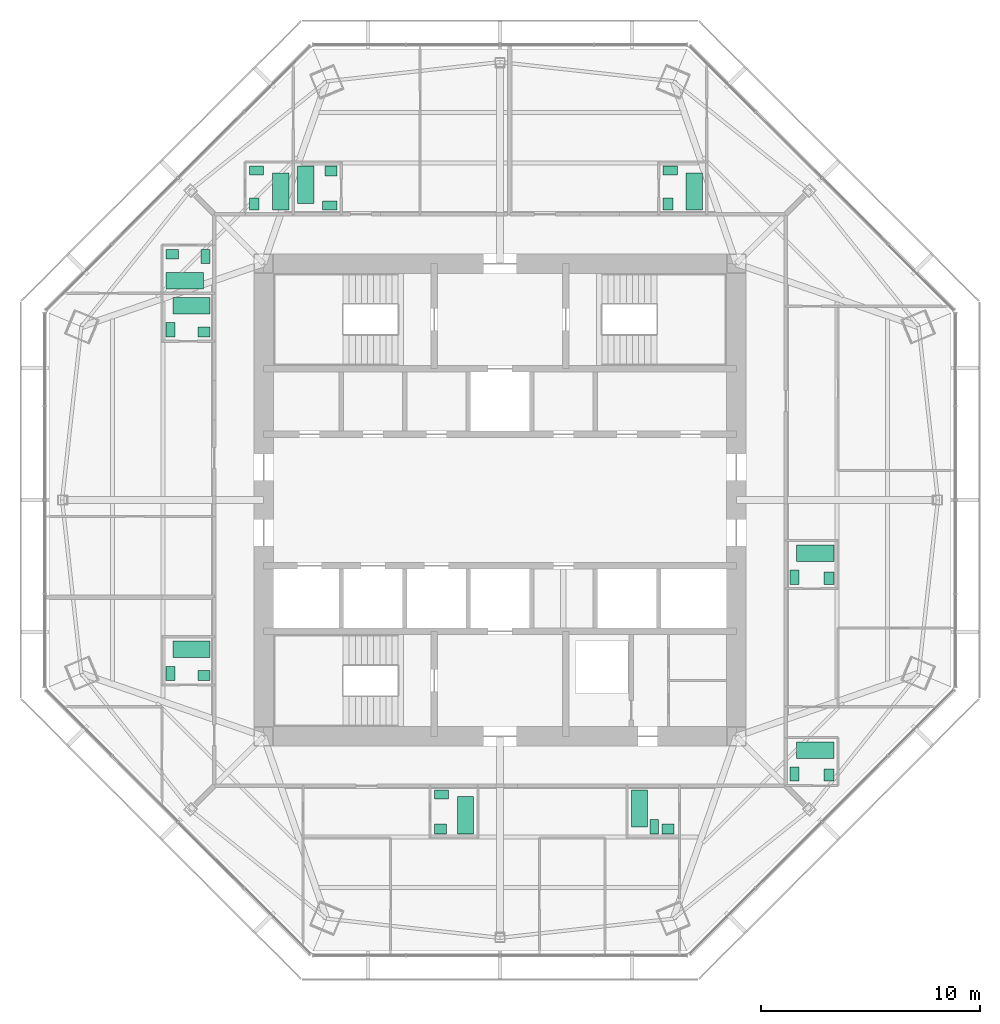
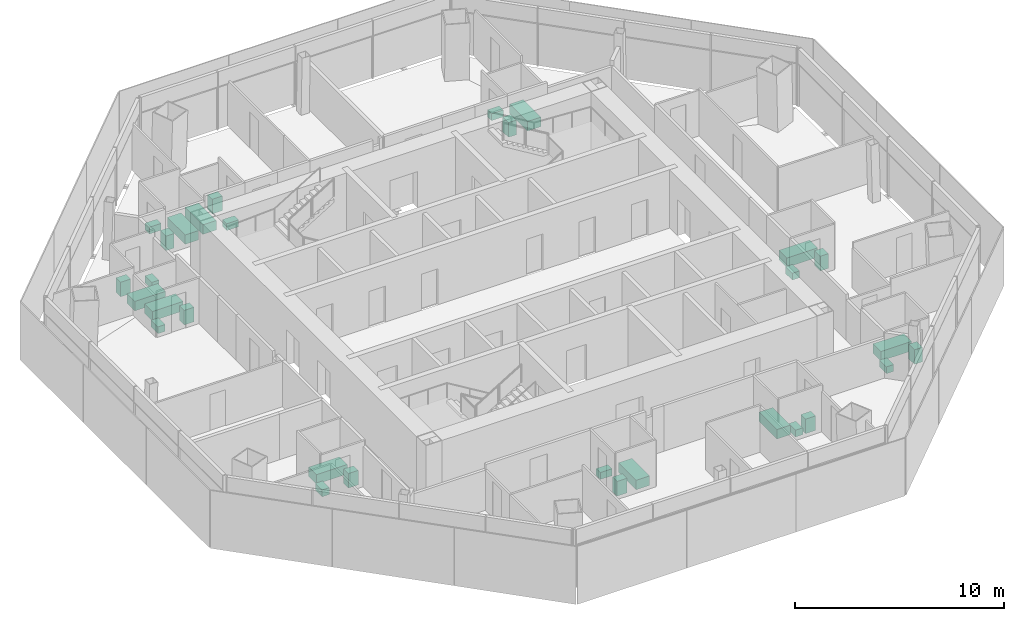
# One storey, part 14 of 14: 30 sanitary terminals.
"""IFC4 building model written with IfcOpenShell, lengths in metres."""

from ifc_helpers import new_model, si_unit, direction, frame, origin, origin_2d, place, context, subcontext, project, spatial, rectangle, extrude, material, type_object, element, save


model = new_model("IFC4")

# Units and contexts
model_context = context("Model", 3, precision=1e-05, world=origin(), true_north=direction((0.0, 1.0)))
body_context = subcontext(model_context, "Body", "Model", "MODEL_VIEW")
ifc_project = project(units=[si_unit("LENGTHUNIT", "METRE"), si_unit("AREAUNIT", "SQUARE_METRE"), si_unit("VOLUMEUNIT", "CUBIC_METRE"), si_unit("PLANEANGLEUNIT", "RADIAN"), si_unit("MASSUNIT", "GRAM", prefix="KILO")], contexts=[model_context])

# Site, building, storey
site_placement = place(None, origin())
site = spatial("IfcSite", under=ifc_project, at=site_placement, CompositionType="ELEMENT")
building_placement = place(site_placement, origin())
building = spatial("IfcBuilding", under=site, at=building_placement, Name="Mashrafa Tower", CompositionType="ELEMENT")
storey_placement = place(building_placement, frame((0.0, 0.0, 255.0)))
storey = spatial("IfcBuildingStorey", under=building, at=storey_placement, Name="L61", CompositionType="ELEMENT", Elevation=255.0)

# Sanitary terminals
ifc_material_1 = material(Name="Enamelled steel", Category="steel")
sanitary_terminal_type_1 = type_object("IfcSanitaryTerminalType", Name="Bath 1700 x 750", PredefinedType="BATH", material=ifc_material_1)
for number, where, z_axis, x_axis, name in (
    (1, (14.39990234375, -11.425048828125, 0.0), (0.0, 0.0, 1.0), (-1.0, 0.0, 0.0), "Bath Apartment 6101 En-suite Bathroom"),
    (2, (14.39990234375, -2.425048828125, 0.0), (0.0, 0.0, 1.0), (-1.0, 0.0, 0.0), "Bath Apartment 6101 Bathroom"),
    (3, (8.875, 14.10009765625, 0.0), (0.0, 0.0, 1.0), (0.0, 1.0, 0.0), "Bath Apartment 6102 Bathroom"),
    (4, (-10.02490234375, 14.10009765625, 0.0), (0.0, 0.0, 1.0), (0.0, 1.0, 0.0), "Bath Apartment 6103 En-suite Bathroom"),
    (5, (-8.875, 14.39990234375, 0.0), (0.0, 0.0, 1.0), (0.0, -1.0, 0.0), "Bath Apartment 6103 Bathroom"),
    (6, (-14.39990234375, 10.02490234375, 0.0), (0.0, 0.0, 1.0), (1.0, 0.0, 0.0), "Bath Apartment 6104 En-suite Bathroom"),
    (7, (-14.10009765625, 8.875, 0.0), (0.0, 0.0, 1.0), (-1.0, 0.0, 0.0), "Bath Apartment 6104 Bathroom"),
    (8, (-14.10009765625, -6.824951171875, 0.0), (0.0, 0.0, 1.0), (-1.0, 0.0, 0.0), "Bath Apartment 6105 Bathroom"),
    (9, (-1.574951171875, -14.39990234375, 0.0), (0.0, 0.0, 1.0), (0.0, 1.0, 0.0), "Bath Apartment 6106 Bathroom"),
    (10, (6.375, -14.10009765625, 0.0), (0.0, 0.0, 1.0), (0.0, -1.0, 0.0), "Bath Apartment 6106 En-suite Bathroom"),
):
    element("IfcSanitaryTerminal", number, at=place(storey_placement, frame(where, z_axis=z_axis, x_axis=x_axis)), inside=storey, type_object=sanitary_terminal_type_1, Name=name, PredefinedType="BATH", context=body_context, shape_type="SweptSolid", body=[
        extrude(rectangle(XDim=1.699951171875, YDim=0.75, at=origin_2d()), origin(), (0.0, 0.0, 1.0), 0.550048828125),
    ])
ifc_material_2 = material(Name="Vitreous china")
sanitary_terminal_type_2 = type_object("IfcSanitaryTerminalType", Name="Toilet pan 400 x 650", PredefinedType="TOILETPAN", material=ifc_material_2)
for number, where, z_axis, x_axis, name in (
    (11, (13.449951171875, -12.52490234375, 0.0), (0.0, 0.0, 1.0), (1.0, 0.0, 0.0), "Toilet pan Apartment 6101 En-suite Bathroom"),
    (12, (13.449951171875, -3.52490234375, 0.0), (0.0, 0.0, 1.0), (1.0, 0.0, 0.0), "Toilet pan Apartment 6101 Bathroom"),
    (13, (7.77490234375, 15.050048828125, 0.0), (0.0, 0.0, 1.0), (0.0, -1.0, 0.0), "Toilet pan Apartment 6102 Bathroom"),
    (14, (-11.125, 15.050048828125, 0.0), (0.0, 0.0, 1.0), (0.0, -1.0, 0.0), "Toilet pan Apartment 6103 En-suite Bathroom"),
    (15, (-7.77490234375, 13.449951171875, 0.0), (0.0, 0.0, 1.0), (0.0, 1.0, 0.0), "Toilet pan Apartment 6103 Bathroom"),
    (16, (-13.449951171875, 11.125, 0.0), (0.0, 0.0, 1.0), (-1.0, 0.0, 0.0), "Toilet pan Apartment 6104 En-suite Bathroom"),
    (17, (-15.050048828125, 7.77490234375, 0.0), (0.0, 0.0, 1.0), (1.0, 0.0, 0.0), "Toilet pan Apartment 6104 Bathroom"),
    (18, (-15.050048828125, -7.925048828125, 0.0), (0.0, 0.0, 1.0), (1.0, 0.0, 0.0), "Toilet pan Apartment 6105 Bathroom"),
    (19, (-2.675048828125, -13.449951171875, 0.0), (0.0, 0.0, 1.0), (0.0, -1.0, 0.0), "Toilet pan Apartment 6106 Bathroom"),
    (20, (7.050048828125, -14.925048828125, 0.0), (0.0, 0.0, 1.0), (1.0, 0.0, 0.0), "Toilet pan Apartment 6106 En-suite Bathroom"),
):
    element("IfcSanitaryTerminal", number, at=place(storey_placement, frame(where, z_axis=z_axis, x_axis=x_axis)), inside=storey, type_object=sanitary_terminal_type_2, Name=name, PredefinedType="TOILETPAN", context=body_context, shape_type="SweptSolid", body=[
        extrude(rectangle(XDim=0.39990234375, YDim=0.64990234375, at=origin_2d()), origin(), (0.0, 0.0, 1.0), 0.39990234375),
    ])
ifc_material_3 = material(Name="Vitreous china")
sanitary_terminal_type_3 = type_object("IfcSanitaryTerminalType", Name="Wash basin 550 x 450", PredefinedType="WASHHANDBASIN", material=ifc_material_3)
for number, where, z_axis, x_axis, name in (
    (21, (15.02490234375, -12.574951171875, 0.0), (0.0, 0.0, 1.0), (0.0, 1.0, 0.0), "Wash basin Apartment 6101 En-suite Bathroom"),
    (22, (15.02490234375, -3.574951171875, 0.0), (0.0, 0.0, 1.0), (0.0, 1.0, 0.0), "Wash basin Apartment 6101 Bathroom"),
    (23, (7.675048828125, 13.52490234375, 0.0), (0.0, 0.0, 1.0), (0.0, -1.0, 0.0), "Wash basin Apartment 6102 Bathroom"),
    (24, (-11.22509765625, 13.52490234375, 0.0), (0.0, 0.0, 1.0), (0.0, -1.0, 0.0), "Wash basin Apartment 6103 En-suite Bathroom"),
    (25, (-7.72509765625, 15.02490234375, 0.0), (0.0, 0.0, 1.0), (-1.0, 0.0, 0.0), "Wash basin Apartment 6103 Bathroom"),
    (26, (-14.97509765625, 11.22509765625, 0.0), (0.0, 0.0, 1.0), (-1.0, 0.0, 0.0), "Wash basin Apartment 6104 En-suite Bathroom"),
    (27, (-13.52490234375, 7.675048828125, 0.0), (0.0, 0.0, 1.0), (1.0, 0.0, 0.0), "Wash basin Apartment 6104 Bathroom"),
    (28, (-13.52490234375, -8.02490234375, 0.0), (0.0, 0.0, 1.0), (1.0, 0.0, 0.0), "Wash basin Apartment 6105 Bathroom"),
    (29, (-2.72509765625, -15.02490234375, 0.0), (0.0, 0.0, 1.0), (1.0, 0.0, 0.0), "Wash basin Apartment 6106 Bathroom"),
    (30, (7.675048828125, -15.02490234375, 0.0), (0.0, 0.0, 1.0), (1.0, 0.0, 0.0), "Wash basin Apartment 6106 En-suite Bathroom"),
):
    element("IfcSanitaryTerminal", number, at=place(storey_placement, frame(where, z_axis=z_axis, x_axis=x_axis)), inside=storey, type_object=sanitary_terminal_type_3, Name=name, PredefinedType="WASHHANDBASIN", context=body_context, shape_type="SweptSolid", body=[
        extrude(rectangle(XDim=0.550048828125, YDim=0.449951171875, at=origin_2d()), origin(), (0.0, 0.0, 1.0), 0.85009765625),
    ])

save(model, "model.ifc")
